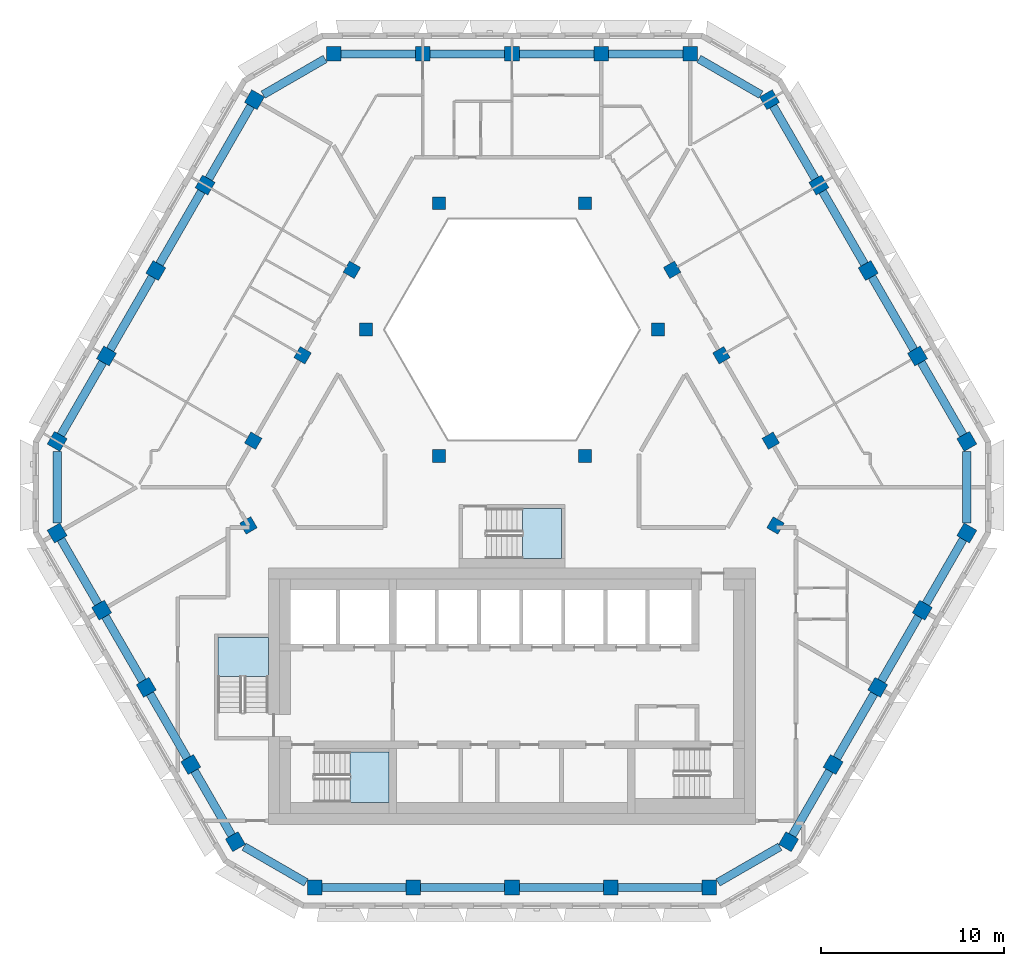
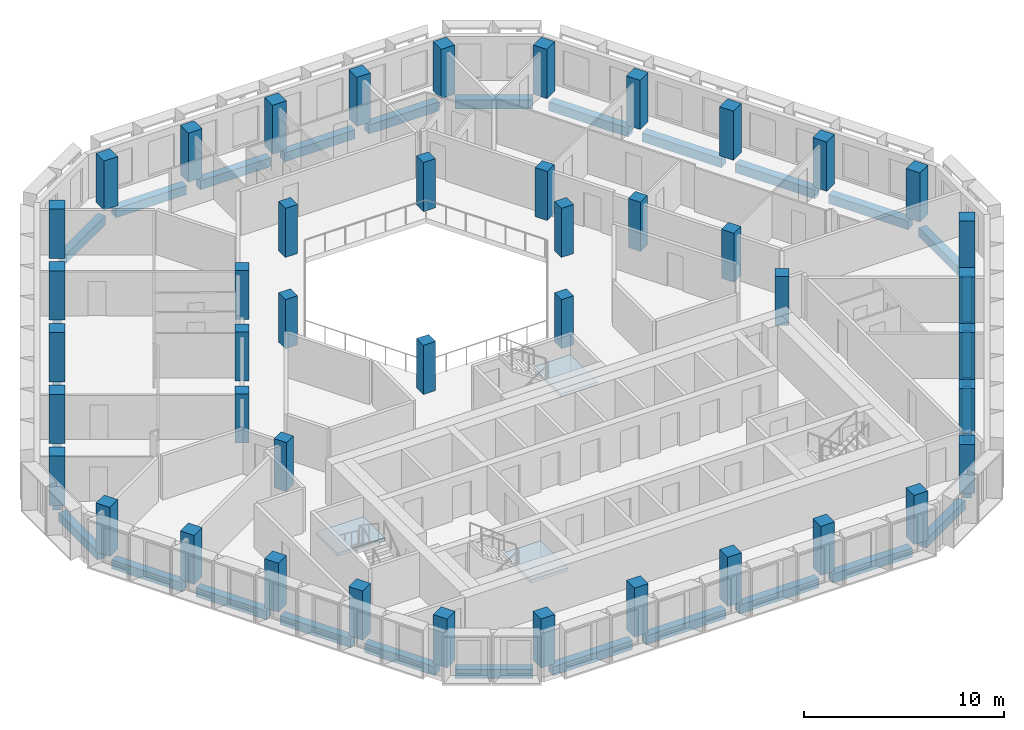
# One storey, part 1 of 17: 44 columns, 30 beams, 3 slabs, 3 elements without a shape of their own.
"""IFC4 building model written with IfcOpenShell, lengths in metres."""

from ifc_helpers import new_model, si_unit, direction, frame, origin, origin_2d, place, context, subcontext, project, spatial, polyline, rectangle, outline, extrude, material, layer, layer_set, material_profile, profile_set, type_object, element, aggregate, save


model = new_model("IFC4")

# Units and contexts
model_context = context("Model", 3, precision=1e-05, world=origin(), true_north=direction((0.0, 1.0)))
body_context = subcontext(model_context, "Body", "Model", "MODEL_VIEW")
ifc_project = project(units=[si_unit("LENGTHUNIT", "METRE"), si_unit("AREAUNIT", "SQUARE_METRE"), si_unit("VOLUMEUNIT", "CUBIC_METRE"), si_unit("PLANEANGLEUNIT", "RADIAN"), si_unit("MASSUNIT", "GRAM", prefix="KILO")], contexts=[model_context])

# Site, building, storey
site_placement = place(None, origin())
site = spatial("IfcSite", under=ifc_project, at=site_placement, CompositionType="ELEMENT")
building_placement = place(site_placement, origin())
building = spatial("IfcBuilding", under=site, at=building_placement, Name="Beryl Residences", CompositionType="ELEMENT")
storey_placement = place(building_placement, frame((0.0, 0.0, 166.199951171875)))
storey = spatial("IfcBuildingStorey", under=building, at=storey_placement, Name="L50", CompositionType="ELEMENT", Elevation=166.199951171875)

# Columns
ifc_material_1 = material(Name="Concrete C50/60", Category="concrete")
ifc_material_profile_1 = material_profile(ifc_material_1, rectangle(XDim=0.800048828125, YDim=0.800048828125, at=origin_2d()))
ifc_profile_set_1 = profile_set([ifc_material_profile_1], Name="Concrete C50/60")
column_type_1 = type_object("IfcColumnType", Name="C4 tube column 800 x 800 C50/60", PredefinedType="COLUMN", material=ifc_profile_set_1)
for number, where, z_axis, x_axis, name in (
    (1, (9.72802734375, 23.050048828125, 0.0), (0.0, 0.0, 1.0), (-1.0, 0.0, 0.0), "C4-N1 L50"),
    (2, (4.864013671875, 23.050048828125, 0.0), (0.0, 0.0, 1.0), (-1.0, 0.0, 0.0), "C4-N2 L50"),
    (3, (0.0, 23.050048828125, 0.0), (0.0, 0.0, 1.0), (-1.0, 0.0, 0.0), "C4-N3 L50"),
    (4, (-4.864013671875, 23.050048828125, 0.0), (0.0, 0.0, 1.0), (-1.0, 0.0, 0.0), "C4-N4 L50"),
    (5, (-9.72802734375, 23.050048828125, 0.0), (0.0, 0.0, 1.0), (-1.0, 0.0, 0.0), "C4-N5 L50"),
    (6, (-14.05810546875, 20.550048828125, 0.0), (0.0, 0.0, 1.0), (-0.5, -0.866025403784, 0.0), "C4-NW1 L50"),
    (7, (-16.75, 15.887939453125, 0.0), (0.0, 0.0, 1.0), (-0.5, -0.866025403784, 0.0), "C4-NW2 L50"),
    (8, (-19.44189453125, 11.22509765625, 0.0), (0.0, 0.0, 1.0), (-0.5, -0.866025403784, 0.0), "C4-NW3 L50"),
    (9, (-22.134033203125, 6.56201171875, 0.0), (0.0, 0.0, 1.0), (-0.5, -0.866025403784, 0.0), "C4-NW4 L50"),
    (10, (-24.825927734375, 1.89990234375, 0.0), (0.0, 0.0, 1.0), (-0.5, -0.866025403784, 0.0), "C4-NW5 L50"),
    (11, (-24.825927734375, -3.09912109375, 0.0), (0.0, 0.0, 1.0), (0.5, -0.866025403784, 0.0), "C4-SW1 L50"),
    (12, (-22.39404296875, -7.31201171875, 0.0), (0.0, 0.0, 1.0), (0.5, -0.866025403784, 0.0), "C4-SW2 L50"),
    (13, (-19.9619140625, -11.52392578125, 0.0), (0.0, 0.0, 1.0), (0.5, -0.866025403784, 0.0), "C4-SW3 L50"),
    (14, (-17.530029296875, -15.736083984375, 0.0), (0.0, 0.0, 1.0), (0.5, -0.866025403784, 0.0), "C4-SW4 L50"),
    (15, (-15.097900390625, -19.948974609375, 0.0), (0.0, 0.0, 1.0), (0.5, -0.866025403784, 0.0), "C4-SW5 L50"),
    (16, (-10.76708984375, -22.449951171875, 0.0), (0.0, 0.0, 1.0), (1.0, 0.0, 0.0), "C4-S1 L50"),
    (17, (-5.383056640625, -22.449951171875, 0.0), (0.0, 0.0, 1.0), (1.0, 0.0, 0.0), "C4-S2 L50"),
    (18, (0.0009765625, -22.449951171875, 0.0), (0.0, 0.0, 1.0), (1.0, 0.0, 0.0), "C4-S3 L50"),
    (19, (5.385009765625, -22.449951171875, 0.0), (0.0, 0.0, 1.0), (1.0, 0.0, 0.0), "C4-S4 L50"),
    (20, (10.76904296875, -22.449951171875, 0.0), (0.0, 0.0, 1.0), (1.0, 0.0, 0.0), "C4-S5 L50"),
    (21, (15.096923828125, -19.950927734375, 0.0), (0.0, 0.0, 1.0), (0.5, 0.866025403784, 0.0), "C4-SE1 L50"),
    (22, (17.529052734375, -15.738037109375, 0.0), (0.0, 0.0, 1.0), (0.5, 0.866025403784, 0.0), "C4-SE2 L50"),
    (23, (19.9609375, -11.52587890625, 0.0), (0.0, 0.0, 1.0), (0.5, 0.866025403784, 0.0), "C4-SE3 L50"),
    (24, (22.39306640625, -7.31396484375, 0.0), (0.0, 0.0, 1.0), (0.5, 0.866025403784, 0.0), "C4-SE4 L50"),
    (25, (24.824951171875, -3.10107421875, 0.0), (0.0, 0.0, 1.0), (0.5, 0.866025403784, 0.0), "C4-SE5 L50"),
    (26, (24.825927734375, 1.89990234375, 0.0), (0.0, 0.0, 1.0), (-0.5, 0.866025403784, 0.0), "C4-NE1 L50"),
    (27, (22.134033203125, 6.56201171875, 0.0), (0.0, 0.0, 1.0), (-0.5, 0.866025403784, 0.0), "C4-NE2 L50"),
    (28, (19.44189453125, 11.22509765625, 0.0), (0.0, 0.0, 1.0), (-0.5, 0.866025403784, 0.0), "C4-NE3 L50"),
    (29, (16.75, 15.887939453125, 0.0), (0.0, 0.0, 1.0), (-0.5, 0.866025403784, 0.0), "C4-NE4 L50"),
    (30, (14.05810546875, 20.550048828125, 0.0), (0.0, 0.0, 1.0), (-0.5, 0.866025403784, 0.0), "C4-NE5 L50"),
):
    element("IfcColumn", number, at=place(storey_placement, frame(where, z_axis=z_axis, x_axis=x_axis)), inside=storey, type_object=column_type_1, Name=name, PredefinedType="COLUMN", context=body_context, shape_type="SweptSolid", body=[
        extrude(rectangle(XDim=0.800048828125, YDim=0.800048828125, at=origin_2d()), origin(), (0.0, 0.0, 1.0), 3.0),
    ])
ifc_material_2 = material(Name="Concrete C50/60", Category="concrete")
ifc_material_profile_2 = material_profile(ifc_material_2, rectangle(XDim=0.699951171875, YDim=0.699951171875, at=origin_2d()))
ifc_profile_set_2 = profile_set([ifc_material_profile_2], Name="Concrete C50/60")
column_type_2 = type_object("IfcColumnType", Name="IC4 interior column 700 x 700 C50/60", PredefinedType="COLUMN", material=ifc_profile_set_2)
for number, where, z_axis, x_axis, name in (
    (31, (-14.383056640625, -2.68701171875, 0.0), (0.0, 0.0, 1.0), (0.5, -0.866025403784, 0.0), "IC4-M01 L50"),
    (32, (14.382080078125, -2.68896484375, 0.0), (0.0, 0.0, 1.0), (0.5, 0.866025403784, 0.0), "IC4-M02 L50"),
    (33, (14.123046875, 1.93701171875, 0.0), (0.0, 0.0, 1.0), (-0.5, 0.866025403784, 0.0), "IC4-M03 L50"),
    (34, (3.98388671875, 1.10009765625, 0.0), (0.0, 0.0, 1.0), (1.0, 0.0, 0.0), "IC4-A04 L50"),
    (35, (11.430908203125, 6.60009765625, 0.0), (0.0, 0.0, 1.0), (-0.5, 0.866025403784, 0.0), "IC4-M05 L50"),
    (36, (7.967041015625, 8.0, 0.0), (0.0, 0.0, 1.0), (1.0, 0.0, 0.0), "IC4-A06 L50"),
    (37, (8.739013671875, 11.262939453125, 0.0), (0.0, 0.0, 1.0), (-0.5, 0.866025403784, 0.0), "IC4-M07 L50"),
    (38, (3.98388671875, 14.89990234375, 0.0), (0.0, 0.0, 1.0), (1.0, 0.0, 0.0), "IC4-A08 L50"),
    (39, (-3.98388671875, 14.89990234375, 0.0), (0.0, 0.0, 1.0), (1.0, 0.0, 0.0), "IC4-A09 L50"),
    (40, (-8.739013671875, 11.262939453125, 0.0), (0.0, 0.0, 1.0), (-0.5, -0.866025403784, 0.0), "IC4-M10 L50"),
    (41, (-7.967041015625, 8.0, 0.0), (0.0, 0.0, 1.0), (1.0, 0.0, 0.0), "IC4-A11 L50"),
    (42, (-11.430908203125, 6.60009765625, 0.0), (0.0, 0.0, 1.0), (-0.5, -0.866025403784, 0.0), "IC4-M12 L50"),
    (43, (-3.98388671875, 1.10009765625, 0.0), (0.0, 0.0, 1.0), (1.0, 0.0, 0.0), "IC4-A13 L50"),
    (44, (-14.123046875, 1.93701171875, 0.0), (0.0, 0.0, 1.0), (-0.5, -0.866025403784, 0.0), "IC4-M14 L50"),
):
    element("IfcColumn", number, at=place(storey_placement, frame(where, z_axis=z_axis, x_axis=x_axis)), inside=storey, type_object=column_type_2, Name=name, PredefinedType="COLUMN", context=body_context, shape_type="SweptSolid", body=[
        extrude(rectangle(XDim=0.699951171875, YDim=0.699951171875, at=origin_2d()), origin(), (0.0, 0.0, 1.0), 3.0),
    ])

# Beams
ifc_material_3 = material(Name="Concrete C50/60", Category="concrete")
ifc_material_profile_3 = material_profile(ifc_material_3, rectangle(XDim=0.449951171875, YDim=0.550048828125, at=origin_2d()))
ifc_profile_set_3 = profile_set([ifc_material_profile_3], Name="Concrete C50/60")
beam_type = type_object("IfcBeamType", Name="SB4 spandrel beam 450 x 550 C50/60", PredefinedType="SPANDREL", material=ifc_profile_set_3)
beam_1_placement = place(storey_placement, frame((9.327880859375, 23.050048828125, -0.574951171875), z_axis=(-1.0, 0.0, 0.0), x_axis=(0.0, -1.0, 0.0)))
element("IfcBeam", 45, at=beam_1_placement, inside=storey, type_object=beam_type, Name="SB4 L50 N-0", PredefinedType="SPANDREL", context=body_context, shape_type="SweptSolid", body=[
    extrude(rectangle(XDim=0.449951171875, YDim=0.550048828125, at=origin_2d()), origin(), (0.0, 0.0, 1.0), 4.06396484375),
])
for number, where, z_axis, x_axis, name in (
    (46, (4.464111328125, 23.050048828125, -0.574951171875), (-1.0, 0.0, 0.0), (0.0, -1.0, 0.0), "SB4 L50 N-1"),
    (47, (-0.39990234375, 23.050048828125, -0.574951171875), (-1.0, 0.0, 0.0), (0.0, -1.0, 0.0), "SB4 L50 N-2"),
):
    element("IfcBeam", number, at=place(storey_placement, frame(where, z_axis=z_axis, x_axis=x_axis)), inside=storey, type_object=beam_type, Name=name, PredefinedType="SPANDREL", context=body_context, shape_type="SweptSolid", body=[
        extrude(rectangle(XDim=0.449951171875, YDim=0.550048828125, at=origin_2d()), origin(), (0.0, 0.0, 1.0), 4.064208984375),
    ])
beam_2_placement = place(storey_placement, frame((-5.263916015625, 23.050048828125, -0.574951171875), z_axis=(-1.0, 0.0, 0.0), x_axis=(0.0, -1.0, 0.0)))
element("IfcBeam", 48, at=beam_2_placement, inside=storey, type_object=beam_type, Name="SB4 L50 N-3", PredefinedType="SPANDREL", context=body_context, shape_type="SweptSolid", body=[
    extrude(rectangle(XDim=0.449951171875, YDim=0.550048828125, at=origin_2d()), origin(), (0.0, 0.0, 1.0), 4.06396484375),
])
beam_3_placement = place(storey_placement, frame((-10.200927734375, 22.777099609375, -0.574951171875), z_axis=(-0.865988935984, -0.500063158763, 0.0), x_axis=(0.500063158763, -0.865988935984, 0.0)))
element("IfcBeam", 49, at=beam_3_placement, inside=storey, type_object=beam_type, Name="SB4 L50 N-4", PredefinedType="SPANDREL", context=body_context, shape_type="SweptSolid", body=[
    extrude(rectangle(XDim=0.449951171875, YDim=0.550048828125, at=origin_2d()), origin(), (0.0, 0.0, 1.0), 3.90771484375),
])
beam_4_placement = place(storey_placement, frame((-14.258056640625, 20.2041015625, -0.574951171875), z_axis=(-0.499965247104, -0.866045467449, 0.0), x_axis=(0.866045467449, -0.499965247104, 0.0)))
element("IfcBeam", 50, at=beam_4_placement, inside=storey, type_object=beam_type, Name="SB4 L50 NW-0", PredefinedType="SPANDREL", context=body_context, shape_type="SweptSolid", body=[
    extrude(rectangle(XDim=0.449951171875, YDim=0.550048828125, at=origin_2d()), origin(), (0.0, 0.0, 1.0), 4.584228515625),
])
for number, where, z_axis, x_axis, name in (
    (51, (-16.949951171875, 15.5419921875, -0.574951171875), (-0.499896077001, -0.866085395443, 0.0), (0.866085395443, -0.499896077001, 0.0), "SB4 L50 NW-1"),
    (52, (-19.64208984375, 10.87890625, -0.574951171875), (-0.499896077001, -0.866085395443, 0.0), (0.866085395443, -0.499896077001, 0.0), "SB4 L50 NW-2"),
):
    element("IfcBeam", number, at=place(storey_placement, frame(where, z_axis=z_axis, x_axis=x_axis)), inside=storey, type_object=beam_type, Name=name, PredefinedType="SPANDREL", context=body_context, shape_type="SweptSolid", body=[
        extrude(rectangle(XDim=0.449951171875, YDim=0.550048828125, at=origin_2d()), origin(), (0.0, 0.0, 1.0), 4.5849609375),
    ])
beam_5_placement = place(storey_placement, frame((-22.333984375, 6.216064453125, -0.574951171875), z_axis=(-0.49998830735, -0.866032154434, 0.0), x_axis=(0.866032154434, -0.49998830735, 0.0)))
element("IfcBeam", 53, at=beam_5_placement, inside=storey, type_object=beam_type, Name="SB4 L50 NW-3", PredefinedType="SPANDREL", context=body_context, shape_type="SweptSolid", body=[
    extrude(rectangle(XDim=0.449951171875, YDim=0.550048828125, at=origin_2d()), origin(), (0.0, 0.0, 1.0), 4.583984375),
])
beam_6_placement = place(storey_placement, frame((-24.825927734375, 1.35400390625, -0.574951171875), z_axis=(0.0, -1.0, 0.0), x_axis=(1.0, 0.0, 0.0)))
element("IfcBeam", 54, at=beam_6_placement, inside=storey, type_object=beam_type, Name="SB4 L50 NW-4", PredefinedType="SPANDREL", context=body_context, shape_type="SweptSolid", body=[
    extrude(rectangle(XDim=0.449951171875, YDim=0.550048828125, at=origin_2d()), origin(), (0.0, 0.0, 1.0), 3.906982421875),
])
beam_7_placement = place(storey_placement, frame((-24.6259765625, -3.445068359375, -0.574951171875), z_axis=(0.499840293234, -0.866117590896, 0.0), x_axis=(0.866117590896, 0.499840293234, 0.0)))
element("IfcBeam", 55, at=beam_7_placement, inside=storey, type_object=beam_type, Name="SB4 L50 SW-0", PredefinedType="SPANDREL", context=body_context, shape_type="SweptSolid", body=[
    extrude(rectangle(XDim=0.449951171875, YDim=0.550048828125, at=origin_2d()), origin(), (0.0, 0.0, 1.0), 4.065185546875),
])
beam_8_placement = place(storey_placement, frame((-22.194091796875, -7.657958984375, -0.574951171875), z_axis=(0.499944307952, -0.866057555216, 0.0), x_axis=(0.866057555216, 0.499944307952, 0.0)))
element("IfcBeam", 56, at=beam_8_placement, inside=storey, type_object=beam_type, Name="SB4 L50 SW-1", PredefinedType="SPANDREL", context=body_context, shape_type="SweptSolid", body=[
    extrude(rectangle(XDim=0.449951171875, YDim=0.550048828125, at=origin_2d()), origin(), (0.0, 0.0, 1.0), 4.064453125),
])
beam_9_placement = place(storey_placement, frame((-19.761962890625, -11.8701171875, -0.574951171875), z_axis=(0.499970317269, -0.866042540439, 0.0), x_axis=(0.866042540439, 0.499970317269, 0.0)))
element("IfcBeam", 57, at=beam_9_placement, inside=storey, type_object=beam_type, Name="SB4 L50 SW-2", PredefinedType="SPANDREL", context=body_context, shape_type="SweptSolid", body=[
    extrude(rectangle(XDim=0.449951171875, YDim=0.550048828125, at=origin_2d()), origin(), (0.0, 0.0, 1.0), 4.064208984375),
])
beam_10_placement = place(storey_placement, frame((-17.330078125, -16.08203125, -0.574951171875), z_axis=(0.499840293234, -0.866117590896, 0.0), x_axis=(0.866117590896, 0.499840293234, 0.0)))
element("IfcBeam", 58, at=beam_10_placement, inside=storey, type_object=beam_type, Name="SB4 L50 SW-3", PredefinedType="SPANDREL", context=body_context, shape_type="SweptSolid", body=[
    extrude(rectangle(XDim=0.449951171875, YDim=0.550048828125, at=origin_2d()), origin(), (0.0, 0.0, 1.0), 4.065185546875),
])
beam_11_placement = place(storey_placement, frame((-14.625, -20.221923828125, -0.574951171875), z_axis=(0.865943218558, -0.500142321977, 0.0), x_axis=(0.500142321977, 0.865943218558, 0.0)))
element("IfcBeam", 59, at=beam_11_placement, inside=storey, type_object=beam_type, Name="SB4 L50 SW-4", PredefinedType="SPANDREL", context=body_context, shape_type="SweptSolid", body=[
    extrude(rectangle(XDim=0.449951171875, YDim=0.550048828125, at=origin_2d()), origin(), (0.0, 0.0, 1.0), 3.908935546875),
])
for number, where, z_axis, x_axis, name in (
    (60, (-10.366943359375, -22.449951171875, -0.574951171875), (1.0, 0.0, 0.0), (0.0, 1.0, 0.0), "SB4 L50 S-0"),
    (61, (-4.98291015625, -22.449951171875, -0.574951171875), (1.0, 0.0, 0.0), (0.0, 1.0, 0.0), "SB4 L50 S-1"),
):
    element("IfcBeam", number, at=place(storey_placement, frame(where, z_axis=z_axis, x_axis=x_axis)), inside=storey, type_object=beam_type, Name=name, PredefinedType="SPANDREL", context=body_context, shape_type="SweptSolid", body=[
        extrude(rectangle(XDim=0.449951171875, YDim=0.550048828125, at=origin_2d()), origin(), (0.0, 0.0, 1.0), 4.583984375),
    ])
beam_12_placement = place(storey_placement, frame((0.40087890625, -22.449951171875, -0.574951171875), z_axis=(1.0, 0.0, 0.0), x_axis=(0.0, 1.0, 0.0)))
element("IfcBeam", 62, at=beam_12_placement, inside=storey, type_object=beam_type, Name="SB4 L50 S-2", PredefinedType="SPANDREL", context=body_context, shape_type="SweptSolid", body=[
    extrude(rectangle(XDim=0.449951171875, YDim=0.550048828125, at=origin_2d()), origin(), (0.0, 0.0, 1.0), 4.584228515625),
])
beam_13_placement = place(storey_placement, frame((5.784912109375, -22.449951171875, -0.574951171875), z_axis=(1.0, 0.0, 0.0), x_axis=(0.0, 1.0, 0.0)))
element("IfcBeam", 63, at=beam_13_placement, inside=storey, type_object=beam_type, Name="SB4 L50 S-3", PredefinedType="SPANDREL", context=body_context, shape_type="SweptSolid", body=[
    extrude(rectangle(XDim=0.449951171875, YDim=0.550048828125, at=origin_2d()), origin(), (0.0, 0.0, 1.0), 4.583984375),
])
beam_14_placement = place(storey_placement, frame((11.241943359375, -22.177001953125, -0.574951171875), z_axis=(0.865999234303, 0.500045324131, 0.0), x_axis=(-0.500045324131, 0.865999234303, 0.0)))
element("IfcBeam", 64, at=beam_14_placement, inside=storey, type_object=beam_type, Name="SB4 L50 S-4", PredefinedType="SPANDREL", context=body_context, shape_type="SweptSolid", body=[
    extrude(rectangle(XDim=0.449951171875, YDim=0.550048828125, at=origin_2d()), origin(), (0.0, 0.0, 1.0), 3.905517578125),
])
beam_15_placement = place(storey_placement, frame((15.297119140625, -19.60498046875, -0.574951171875), z_axis=(0.499840293234, 0.866117590896, 0.0), x_axis=(-0.866117590896, 0.499840293234, 0.0)))
element("IfcBeam", 65, at=beam_15_placement, inside=storey, type_object=beam_type, Name="SB4 L50 SE-0", PredefinedType="SPANDREL", context=body_context, shape_type="SweptSolid", body=[
    extrude(rectangle(XDim=0.449951171875, YDim=0.550048828125, at=origin_2d()), origin(), (0.0, 0.0, 1.0), 4.065185546875),
])
for number, where, z_axis, x_axis, name in (
    (66, (17.72900390625, -15.39208984375, -0.574951171875), (0.499944307952, 0.866057555216, 0.0), (-0.866057555216, 0.499944307952, 0.0), "SB4 L50 SE-1"),
    (67, (20.160888671875, -11.179931640625, -0.574951171875), (0.499989360119, 0.866031546636, 0.0), (-0.866031546636, 0.499989360119, 0.0), "SB4 L50 SE-2"),
):
    element("IfcBeam", number, at=place(storey_placement, frame(where, z_axis=z_axis, x_axis=x_axis)), inside=storey, type_object=beam_type, Name=name, PredefinedType="SPANDREL", context=body_context, shape_type="SweptSolid", body=[
        extrude(rectangle(XDim=0.449951171875, YDim=0.550048828125, at=origin_2d()), origin(), (0.0, 0.0, 1.0), 4.064453125),
    ])
beam_16_placement = place(storey_placement, frame((22.593017578125, -6.968017578125, -0.574951171875), z_axis=(0.499840293234, 0.866117590896, 0.0), x_axis=(-0.866117590896, 0.499840293234, 0.0)))
element("IfcBeam", 68, at=beam_16_placement, inside=storey, type_object=beam_type, Name="SB4 L50 SE-3", PredefinedType="SPANDREL", context=body_context, shape_type="SweptSolid", body=[
    extrude(rectangle(XDim=0.449951171875, YDim=0.550048828125, at=origin_2d()), origin(), (0.0, 0.0, 1.0), 4.065185546875),
])
beam_17_placement = place(storey_placement, frame((24.824951171875, -2.554931640625, -0.574951171875), z_axis=(0.000249828235, 0.999999968793, 0.0), x_axis=(-0.999999968793, 0.000249828235, 0.0)))
element("IfcBeam", 69, at=beam_17_placement, inside=storey, type_object=beam_type, Name="SB4 L50 SE-4", PredefinedType="SPANDREL", context=body_context, shape_type="SweptSolid", body=[
    extrude(rectangle(XDim=0.449951171875, YDim=0.550048828125, at=origin_2d()), origin(), (0.0, 0.0, 1.0), 3.908935546875),
])
beam_18_placement = place(storey_placement, frame((24.6259765625, 2.24609375, -0.574951171875), z_axis=(-0.49998830735, 0.866032154434, 0.0), x_axis=(-0.866032154434, -0.49998830735, 0.0)))
element("IfcBeam", 70, at=beam_18_placement, inside=storey, type_object=beam_type, Name="SB4 L50 NE-0", PredefinedType="SPANDREL", context=body_context, shape_type="SweptSolid", body=[
    extrude(rectangle(XDim=0.449951171875, YDim=0.550048828125, at=origin_2d()), origin(), (0.0, 0.0, 1.0), 4.583984375),
])
for number, where, z_axis, x_axis, name in (
    (71, (21.93408203125, 6.907958984375, -0.574951171875), (-0.499896077001, 0.866085395443, 0.0), (-0.866085395443, -0.499896077001, 0.0), "SB4 L50 NE-1"),
    (72, (19.241943359375, 11.571044921875, -0.574951171875), (-0.499896077001, 0.866085395443, 0.0), (-0.866085395443, -0.499896077001, 0.0), "SB4 L50 NE-2"),
):
    element("IfcBeam", number, at=place(storey_placement, frame(where, z_axis=z_axis, x_axis=x_axis)), inside=storey, type_object=beam_type, Name=name, PredefinedType="SPANDREL", context=body_context, shape_type="SweptSolid", body=[
        extrude(rectangle(XDim=0.449951171875, YDim=0.550048828125, at=origin_2d()), origin(), (0.0, 0.0, 1.0), 4.5849609375),
    ])
beam_19_placement = place(storey_placement, frame((16.550048828125, 16.23388671875, -0.574951171875), z_axis=(-0.499965247104, 0.866045467449, 0.0), x_axis=(-0.866045467449, -0.499965247104, 0.0)))
element("IfcBeam", 73, at=beam_19_placement, inside=storey, type_object=beam_type, Name="SB4 L50 NE-3", PredefinedType="SPANDREL", context=body_context, shape_type="SweptSolid", body=[
    extrude(rectangle(XDim=0.449951171875, YDim=0.550048828125, at=origin_2d()), origin(), (0.0, 0.0, 1.0), 4.584228515625),
])
beam_20_placement = place(storey_placement, frame((13.5849609375, 20.822998046875, -0.574951171875), z_axis=(-0.865988935984, 0.500063158763, 0.0), x_axis=(-0.500063158763, -0.865988935984, 0.0)))
element("IfcBeam", 74, at=beam_20_placement, inside=storey, type_object=beam_type, Name="SB4 L50 NE-4", PredefinedType="SPANDREL", context=body_context, shape_type="SweptSolid", body=[
    extrude(rectangle(XDim=0.449951171875, YDim=0.550048828125, at=origin_2d()), origin(), (0.0, 0.0, 1.0), 3.90771484375),
])

# Stair, slab
ifc_material_4 = material(Name="Concrete C40/50", Category="concrete")
stair_type = type_object("IfcStairType", Name="ST1 protected exit stair, half-turn, 1300 mm flights", PredefinedType="HALF_TURN_STAIR", material=ifc_material_4)
stair_1_placement = place(storey_placement, origin())
stair_1 = element("IfcStair", 75, at=stair_1_placement, inside=storey, type_object=stair_type, Name="L50 PROTECTED EXIT STAIR ST-1", PredefinedType="HALF_TURN_STAIR")
ifc_material_5 = material(Name="Concrete C40/50", Category="concrete")
ifc_layer = layer(ifc_material_5, 0.199951171875)
ifc_layer_set = layer_set([ifc_layer], Name="SLD1 stair landing 200 mm")
slab_type = type_object("IfcSlabType", Name="SLD1 stair landing 200 mm", PredefinedType="LANDING", material=ifc_layer_set)
slab_1_placement = place(storey_placement, frame((0.0, 0.0, 1.300048828125)))
slab_1 = element("IfcSlab", 76, at=slab_1_placement, type_object=slab_type, Name="ST-1 landing 1", PredefinedType="LANDING", context=body_context, shape_type="SweptSolid", body=[
    extrude(outline(polyline([(-8.840087890625, -17.800048828125), (-6.699951171875, -17.800048828125), (-6.699951171875, -15.050048828125), (-8.840087890625, -15.050048828125), (-8.840087890625, -17.800048828125)])), origin(), (0.0, 0.0, 1.0), 0.199951171875),
])
aggregate(stair_1, [slab_1])

stair_2_placement = place(storey_placement, origin())
stair_2 = element("IfcStair", 77, at=stair_2_placement, inside=storey, type_object=stair_type, Name="L50 PROTECTED EXIT STAIR ST-2", PredefinedType="HALF_TURN_STAIR")
slab_2_placement = place(storey_placement, frame((0.0, 0.0, 1.300048828125)))
slab_2 = element("IfcSlab", 78, at=slab_2_placement, type_object=slab_type, Name="ST-2 landing 1", PredefinedType="LANDING", context=body_context, shape_type="SweptSolid", body=[
    extrude(outline(polyline([(-13.300048828125, -10.93994140625), (-13.300048828125, -8.800048828125), (-16.050048828125, -8.800048828125), (-16.050048828125, -10.93994140625), (-13.300048828125, -10.93994140625)])), origin(), (0.0, 0.0, 1.0), 0.199951171875),
])
aggregate(stair_2, [slab_2])

stair_3_placement = place(storey_placement, origin())
stair_3 = element("IfcStair", 79, at=stair_3_placement, inside=storey, type_object=stair_type, Name="L50 PROTECTED EXIT STAIR ST-4", PredefinedType="HALF_TURN_STAIR")
slab_3_placement = place(storey_placement, frame((0.0, 0.0, 1.300048828125)))
slab_3 = element("IfcSlab", 80, at=slab_3_placement, type_object=slab_type, Name="ST-4 landing 1", PredefinedType="LANDING", context=body_context, shape_type="SweptSolid", body=[
    extrude(outline(polyline([(0.56005859375, -4.5), (2.699951171875, -4.5), (2.699951171875, -1.75), (0.56005859375, -1.75), (0.56005859375, -4.5)])), origin(), (0.0, 0.0, 1.0), 0.199951171875),
])
aggregate(stair_3, [slab_3])

save(model, "model.ifc")
